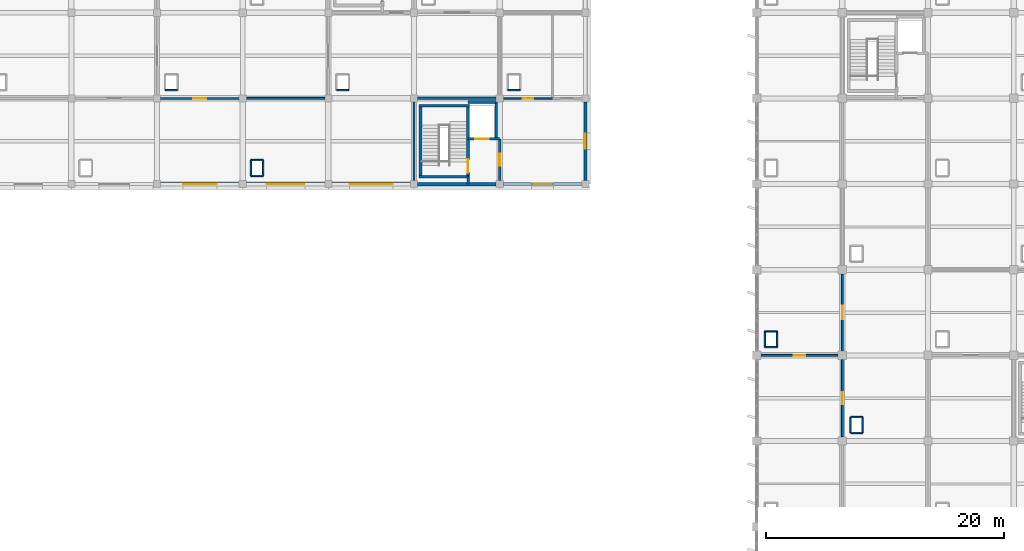
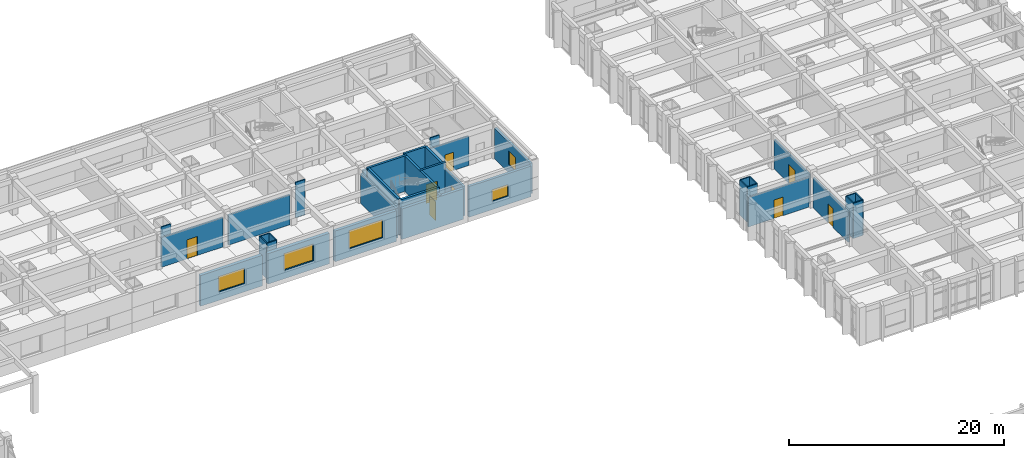
# One storey, part 57 of 70: 38 walls, 8 doors, 5 windows, 13 openings.
"""IFC4 building model written with IfcOpenShell, lengths in metres."""

from ifc_helpers import new_model, si_unit, direction, frame, frame_2d, origin, place, context, subcontext, project, spatial, rectangle, extrude, material, layer, layer_set, type_object, element, fill, save


model = new_model("IFC4")

# Units and contexts
model_context = context("Model", 3, precision=1e-05, world=origin(), true_north=direction((0.0, 1.0)))
body_context = subcontext(model_context, "Body", "Model", "MODEL_VIEW")
ifc_project = project(units=[si_unit("LENGTHUNIT", "METRE"), si_unit("AREAUNIT", "SQUARE_METRE"), si_unit("VOLUMEUNIT", "CUBIC_METRE"), si_unit("PLANEANGLEUNIT", "RADIAN"), si_unit("MASSUNIT", "GRAM", prefix="KILO")], contexts=[model_context])

# Site, building, storey
site_placement = place(None, origin())
site = spatial("IfcSite", under=ifc_project, at=site_placement, CompositionType="ELEMENT")
building_placement = place(site_placement, origin())
building = spatial("IfcBuilding", under=site, at=building_placement, Name="Kavelor Marine Aquarium", CompositionType="ELEMENT")
storey_placement = place(building_placement, frame((0.0, 0.0, 9.179931640625)))
storey = spatial("IfcBuildingStorey", under=building, at=storey_placement, Name="L02", CompositionType="ELEMENT", Elevation=9.179931640625)

# Wall, opening, window
ifc_material_1 = material(Name="Concrete C45/55", Category="concrete")
ifc_layer_1 = layer(ifc_material_1, 0.360107421875)
ifc_layer_set_1 = layer_set([ifc_layer_1], Name="WL-EX1")
wall_type_1 = type_object("IfcWallType", Name="WL-EX1", PredefinedType="STANDARD", material=ifc_layer_set_1)
wall_1_placement = place(storey_placement, frame((82.10498046875, 89.199951171875, 0.0), z_axis=(0.0, 0.0, 1.0), x_axis=(-1.0, 0.0, 0.0)))
wall_1 = element("IfcWall", 1, at=wall_1_placement, inside=storey, type_object=wall_type_1, Name="ew:x:L02:10_12", PredefinedType="STANDARD", context=body_context, shape_type="SweptSolid", body=[
    extrude(rectangle(XDim=6.60986328125, YDim=0.360107421875, at=frame_2d((3.304931640625, 0.0))), origin(), (0.0, 0.0, 1.0), 3.4599609375),
])
opening_1_placement = place(wall_1_placement, frame((1.72998046875, 0.0, 0.949951171875)))
opening_1 = element("IfcOpeningElement", 2, at=opening_1_placement, cuts=wall_1, Name="Opening W21", PredefinedType="OPENING", context=body_context, shape_type="SweptSolid", body=[
    extrude(rectangle(XDim=3.14990234375, YDim=1.89990234375, at=frame_2d((1.574951171875, 0.949951171875))), frame((0.0, 0.18994140625, 0.0), z_axis=(0.0, -1.0, 0.0), x_axis=(1.0, 0.0, 0.0)), (0.0, 0.0, 1.0), 0.380107),
])
ifc_material_2 = material(Name="Anodised Aluminium Frame with Low-E Double Glazing", Category="aluminium")
window_type_1 = type_object("IfcWindowType", Name="WIN-W21", PartitioningType="DOUBLE_PANEL_VERTICAL", PredefinedType="WINDOW", material=ifc_material_2)
window_1_placement = place(opening_1_placement, origin())
window_1 = element("IfcWindow", 3, at=window_1_placement, inside=storey, type_object=window_type_1, Name="win:x:L02:10_12", OverallHeight=1.89990234375, OverallWidth=3.14990234375, PartitioningType="SINGLE_PANEL", PredefinedType="WINDOW", context=body_context, shape_type="SweptSolid", body=[
    extrude(rectangle(XDim=3.14990234375, YDim=1.89990234375, at=frame_2d((1.574951171875, 0.949951171875))), frame((0.0, 0.030029296875, 0.0), z_axis=(0.0, -1.0, 0.0), x_axis=(1.0, 0.0, 0.0)), (0.0, 0.0, 1.0), 0.06005859375),
])
fill(opening_1, window_1)

ifc_material_3 = material(Name="Concrete C45/55", Category="concrete")
ifc_layer_2 = layer(ifc_material_3, 0.320068359375)
ifc_layer_set_2 = layer_set([ifc_layer_2], Name="WL-EX2")
wall_type_2 = type_object("IfcWallType", Name="WL-EX2", PredefinedType="STANDARD", material=ifc_layer_set_2)
wall_2_placement = place(storey_placement, frame((89.304931640625, 89.199951171875, 0.0), z_axis=(0.0, 0.0, 1.0), x_axis=(-1.0, 0.0, 0.0)))
wall_2 = element("IfcWall", 4, at=wall_2_placement, inside=storey, type_object=wall_type_2, Name="ew:x:L02:11_12", PredefinedType="STANDARD", context=body_context, shape_type="SweptSolid", body=[
    extrude(rectangle(XDim=6.60986328125, YDim=0.320068359375, at=frame_2d((3.304931640625, 0.0))), origin(), (0.0, 0.0, 1.0), 3.47998046875),
])
opening_2_placement = place(wall_2_placement, frame((1.5048828125, 0.0, 0.949951171875)))
opening_2 = element("IfcOpeningElement", 5, at=opening_2_placement, cuts=wall_2, Name="Opening W24", PredefinedType="OPENING", context=body_context, shape_type="SweptSolid", body=[
    extrude(rectangle(XDim=3.60009765625, YDim=2.050048828125, at=frame_2d((1.800048828125, 1.02490234375))), frame((0.0, 0.169921875, 0.0), z_axis=(0.0, -1.0, 0.0), x_axis=(1.0, 0.0, 0.0)), (0.0, 0.0, 1.0), 0.340068),
])
ifc_material_4 = material(Name="Anodised Aluminium Frame with Low-E Double Glazing", Category="aluminium")
window_type_2 = type_object("IfcWindowType", Name="WIN-W24", PartitioningType="DOUBLE_PANEL_VERTICAL", PredefinedType="WINDOW", material=ifc_material_4)
window_2_placement = place(opening_2_placement, origin())
window_2 = element("IfcWindow", 6, at=window_2_placement, inside=storey, type_object=window_type_2, Name="win:x:L02:11_12", OverallHeight=2.050048828125, OverallWidth=3.60009765625, PartitioningType="SINGLE_PANEL", PredefinedType="WINDOW", context=body_context, shape_type="SweptSolid", body=[
    extrude(rectangle(XDim=3.60009765625, YDim=2.050048828125, at=frame_2d((1.800048828125, 1.02490234375))), frame((0.0, 0.030029296875, 0.0), z_axis=(0.0, -1.0, 0.0), x_axis=(1.0, 0.0, 0.0)), (0.0, 0.0, 1.0), 0.06005859375),
])
fill(opening_2, window_2)

# Wall
ifc_material_5 = material(Name="Concrete C40/50", Category="concrete")
ifc_layer_3 = layer(ifc_material_5, 0.300048828125)
ifc_layer_set_3 = layer_set([ifc_layer_3], Name="WL-EX3")
wall_type_3 = type_object("IfcWallType", Name="WL-EX3", PredefinedType="STANDARD", material=ifc_layer_set_3)
wall_3_placement = place(storey_placement, frame((96.5048828125, 89.199951171875, 0.0), z_axis=(0.0, 0.0, 1.0), x_axis=(-1.0, 0.0, 0.0)))
element("IfcWall", 7, at=wall_3_placement, inside=storey, type_object=wall_type_3, Name="ew:x:L02:12_12", PredefinedType="STANDARD", context=body_context, shape_type="SweptSolid", body=[
    extrude(rectangle(XDim=6.60986328125, YDim=0.300048828125, at=frame_2d((3.304931640625, 0.0))), origin(), (0.0, 0.0, 1.0), 3.4599609375),
])

# Wall, opening, window
ifc_material_6 = material(Name="Concrete C40/50", Category="concrete")
ifc_layer_4 = layer(ifc_material_6, 0.280029296875)
ifc_layer_set_4 = layer_set([ifc_layer_4], Name="WL-EX4")
wall_type_4 = type_object("IfcWallType", Name="WL-EX4", PredefinedType="STANDARD", material=ifc_layer_set_4)
wall_4_placement = place(storey_placement, frame((103.705078125, 89.199951171875, 0.0), z_axis=(0.0, 0.0, 1.0), x_axis=(-1.0, 0.0, 0.0)))
wall_4 = element("IfcWall", 8, at=wall_4_placement, inside=storey, type_object=wall_type_4, Name="ew:x:L02:13_12", PredefinedType="STANDARD", context=body_context, shape_type="SweptSolid", body=[
    extrude(rectangle(XDim=6.610107421875, YDim=0.280029296875, at=frame_2d((3.30517578125, 0.0))), origin(), (0.0, 0.0, 1.0), 3.47998046875),
])
opening_3_placement = place(wall_4_placement, frame((2.429931640625, 0.0, 0.949951171875)))
opening_3 = element("IfcOpeningElement", 9, at=opening_3_placement, cuts=wall_4, Name="Opening W28", PredefinedType="OPENING", context=body_context, shape_type="SweptSolid", body=[
    extrude(rectangle(XDim=1.75, YDim=1.300048828125, at=frame_2d((0.875, 0.64990234375))), frame((0.0, 0.14990234375, 0.0), z_axis=(0.0, -1.0, 0.0), x_axis=(1.0, 0.0, 0.0)), (0.0, 0.0, 1.0), 0.300029),
])
ifc_material_7 = material(Name="Anodised Aluminium Frame with Low-E Double Glazing", Category="aluminium")
window_type_3 = type_object("IfcWindowType", Name="WIN-W28", PartitioningType="SINGLE_PANEL", PredefinedType="WINDOW", material=ifc_material_7)
window_3_placement = place(opening_3_placement, origin())
window_3 = element("IfcWindow", 10, at=window_3_placement, inside=storey, type_object=window_type_3, Name="win:x:L02:13_12", OverallHeight=1.300048828125, OverallWidth=1.75, PartitioningType="SINGLE_PANEL", PredefinedType="WINDOW", context=body_context, shape_type="SweptSolid", body=[
    extrude(rectangle(XDim=1.75, YDim=1.300048828125, at=frame_2d((0.875, 0.64990234375))), frame((0.0, 0.030029296875, 0.0), z_axis=(0.0, -1.0, 0.0), x_axis=(1.0, 0.0, 0.0)), (0.0, 0.0, 1.0), 0.06005859375),
])
fill(opening_3, window_3)

ifc_material_8 = material(Name="Concrete C40/50", Category="concrete")
ifc_layer_5 = layer(ifc_material_8, 0.260009765625)
ifc_layer_set_5 = layer_set([ifc_layer_5], Name="WL-EX5")
wall_type_5 = type_object("IfcWallType", Name="WL-EX5", PredefinedType="STANDARD", material=ifc_layer_set_5)
wall_5_placement = place(storey_placement, frame((104.0, 96.10498046875, 0.0), z_axis=(0.0, 0.0, 1.0), x_axis=(0.0, -1.0, 0.0)))
wall_5 = element("IfcWall", 11, at=wall_5_placement, inside=storey, type_object=wall_type_5, Name="ew:y:L02:14_12", PredefinedType="STANDARD", context=body_context, shape_type="SweptSolid", body=[
    extrude(rectangle(XDim=6.60986328125, YDim=0.260009765625, at=frame_2d((3.304931640625, 0.0))), origin(), (0.0, 0.0, 1.0), 3.47998046875),
])
opening_4_placement = place(wall_5_placement, frame((2.655029296875, 0.0, 0.949951171875)))
opening_4 = element("IfcOpeningElement", 12, at=opening_4_placement, cuts=wall_5, Name="Opening W03", PredefinedType="OPENING", context=body_context, shape_type="SweptSolid", body=[
    extrude(rectangle(XDim=1.300048828125, YDim=1.550048828125, at=frame_2d((0.64990234375, 0.77490234375))), frame((0.0, 0.139892578125, 0.0), z_axis=(0.0, -1.0, 0.0), x_axis=(1.0, 0.0, 0.0)), (0.0, 0.0, 1.0), 0.28001),
])
ifc_material_9 = material(Name="Anodised Aluminium Frame with Low-E Double Glazing", Category="aluminium")
window_type_4 = type_object("IfcWindowType", Name="WIN-W03", PartitioningType="SINGLE_PANEL", PredefinedType="WINDOW", material=ifc_material_9)
window_4_placement = place(opening_4_placement, origin())
window_4 = element("IfcWindow", 13, at=window_4_placement, inside=storey, type_object=window_type_4, Name="win:y:L02:14_12", OverallHeight=1.550048828125, OverallWidth=1.300048828125, PartitioningType="SINGLE_PANEL", PredefinedType="WINDOW", context=body_context, shape_type="SweptSolid", body=[
    extrude(rectangle(XDim=1.300048828125, YDim=1.550048828125, at=frame_2d((0.64990234375, 0.77490234375))), frame((0.0, 0.030029296875, 0.0), z_axis=(0.0, -1.0, 0.0), x_axis=(1.0, 0.0, 0.0)), (0.0, 0.0, 1.0), 0.06005859375),
])
fill(opening_4, window_4)

ifc_material_10 = material(Name="Concrete C45/55", Category="concrete")
ifc_layer_6 = layer(ifc_material_10, 0.340087890625)
ifc_layer_set_6 = layer_set([ifc_layer_6], Name="WL-EX6")
wall_type_6 = type_object("IfcWallType", Name="WL-EX6", PredefinedType="STANDARD", material=ifc_layer_set_6)
wall_6_placement = place(storey_placement, frame((74.905029296875, 89.199951171875, 0.0), z_axis=(0.0, 0.0, 1.0), x_axis=(-1.0, 0.0, 0.0)))
wall_6 = element("IfcWall", 14, at=wall_6_placement, inside=storey, type_object=wall_type_6, Name="ew:x:L02:09_12", PredefinedType="STANDARD", context=body_context, shape_type="SweptSolid", body=[
    extrude(rectangle(XDim=6.610107421875, YDim=0.340087890625, at=frame_2d((3.30517578125, 0.0))), origin(), (0.0, 0.0, 1.0), 3.47998046875),
])
opening_5_placement = place(wall_6_placement, frame((1.905029296875, 0.0, 0.949951171875)))
opening_5 = element("IfcOpeningElement", 15, at=opening_5_placement, cuts=wall_6, Name="Opening W18", PredefinedType="OPENING", context=body_context, shape_type="SweptSolid", body=[
    extrude(rectangle(XDim=2.800048828125, YDim=1.75, at=frame_2d((1.39990234375, 0.875))), frame((0.0, 0.179931640625, 0.0), z_axis=(0.0, -1.0, 0.0), x_axis=(1.0, 0.0, 0.0)), (0.0, 0.0, 1.0), 0.360088),
])
ifc_material_11 = material(Name="Anodised Aluminium Frame with Low-E Double Glazing", Category="aluminium")
window_type_5 = type_object("IfcWindowType", Name="WIN-W18", PartitioningType="DOUBLE_PANEL_VERTICAL", PredefinedType="WINDOW", material=ifc_material_11)
window_5_placement = place(opening_5_placement, origin())
window_5 = element("IfcWindow", 16, at=window_5_placement, inside=storey, type_object=window_type_5, Name="win:x:L02:09_12", OverallHeight=1.75, OverallWidth=2.800048828125, PartitioningType="SINGLE_PANEL", PredefinedType="WINDOW", context=body_context, shape_type="SweptSolid", body=[
    extrude(rectangle(XDim=2.800048828125, YDim=1.75, at=frame_2d((1.39990234375, 0.875))), frame((0.0, 0.030029296875, 0.0), z_axis=(0.0, -1.0, 0.0), x_axis=(1.0, 0.0, 0.0)), (0.0, 0.0, 1.0), 0.06005859375),
])
fill(opening_5, window_5)

# Walls
ifc_material_12 = material(Name="Concrete Blockwork Partition", Category="masonry")
ifc_layer_7 = layer(ifc_material_12, 0.199951171875)
ifc_layer_set_7 = layer_set([ifc_layer_7], Name="WL-PT1")
wall_type_7 = type_object("IfcWallType", Name="WL-PT1", PredefinedType="PARTITIONING", material=ifc_layer_set_7)
wall_7_placement = place(storey_placement, frame((94.139892578125, 89.199951171875, 0.0), z_axis=(0.0, 0.0, 1.0), x_axis=(0.0, 1.0, 0.0)))
element("IfcWall", 17, at=wall_7_placement, inside=storey, type_object=wall_type_7, Name="pt:st_close:s:C07:L02", PredefinedType="PARTITIONING", context=body_context, shape_type="SweptSolid", body=[
    extrude(rectangle(XDim=0.6201171875, YDim=0.199951171875, at=frame_2d((0.31005859375, 0.0))), origin(), (0.0, 0.0, 1.0), 3.4599609375),
])
wall_8_placement = place(storey_placement, frame((89.60009765625, 89.5, 0.0), z_axis=(0.0, 0.0, 1.0), x_axis=(0.0, 1.0, 0.0)))
element("IfcWall", 18, at=wall_8_placement, inside=storey, type_object=wall_type_7, Name="pt:lob:C07:L02:w", PredefinedType="PARTITIONING", context=body_context, shape_type="SweptSolid", body=[
    extrude(rectangle(XDim=6.60009765625, YDim=0.199951171875, at=frame_2d((3.300048828125, 0.0))), origin(), (0.0, 0.0, 1.0), 3.360107421875),
])

# Wall, opening, door
wall_9_placement = place(storey_placement, frame((96.800048828125, 89.5, 0.0), z_axis=(0.0, 0.0, 1.0), x_axis=(0.0, 1.0, 0.0)))
wall_9 = element("IfcWall", 19, at=wall_9_placement, inside=storey, type_object=wall_type_7, Name="pt:lob:C07:L02:e", PredefinedType="PARTITIONING", context=body_context, shape_type="SweptSolid", body=[
    extrude(rectangle(XDim=3.5, YDim=0.199951171875, at=frame_2d((1.75, 0.0))), origin(), (0.0, 0.0, 1.0), 3.360107421875),
])
opening_6_placement = place(wall_9_placement, frame((1.239990234375, 0.0, 0.0)))
opening_6 = element("IfcOpeningElement", 20, at=opening_6_placement, cuts=wall_9, Name="Opening SD1", PredefinedType="OPENING", context=body_context, shape_type="SweptSolid", body=[
    extrude(rectangle(XDim=1.02001953125, YDim=2.14990234375, at=frame_2d((0.510009765625, 1.074951171875))), frame((0.0, 0.10986328125, 0.0), z_axis=(0.0, -1.0, 0.0), x_axis=(1.0, 0.0, 0.0)), (0.0, 0.0, 1.0), 0.219951),
])
ifc_material_13 = material(Name="Fire-Rated Corridor Compartment Door")
door_type_1 = type_object("IfcDoorType", Name="DR-SD1", OperationType="NOTDEFINED", PredefinedType="DOOR", material=ifc_material_13)
door_1_placement = place(opening_6_placement, origin())
door_1 = element("IfcDoor", 21, at=door_1_placement, inside=storey, type_object=door_type_1, Name="Core Lobby Fire Door C07-L02", OperationType="SINGLE_SWING_RIGHT", OverallHeight=2.14990234375, OverallWidth=1.02001953125, PredefinedType="DOOR", context=body_context, shape_type="SweptSolid", body=[
    extrude(rectangle(XDim=1.02001953125, YDim=2.14990234375, at=frame_2d((0.510009765625, 1.074951171875))), frame((0.0, 0.02490234375, 0.0), z_axis=(0.0, -1.0, 0.0), x_axis=(1.0, 0.0, 0.0)), (0.0, 0.0, 1.0), 0.050048828125),
])
fill(opening_6, door_1)

# Wall
wall_10_placement = place(storey_placement, frame((89.89990234375, 96.39990234375, 0.0), z_axis=(0.0, 0.0, 1.0), x_axis=(1.0, 0.0, 0.0)))
element("IfcWall", 22, at=wall_10_placement, inside=storey, type_object=wall_type_7, Name="pt:lob:C07:L02:n_full", PredefinedType="PARTITIONING", context=body_context, shape_type="SweptSolid", body=[
    extrude(rectangle(XDim=6.60009765625, YDim=0.199951171875, at=frame_2d((3.300048828125, 0.0))), origin(), (0.0, 0.0, 1.0), 3.41015625),
])

# Wall, opening, door
ifc_material_14 = material(Name="Acoustic Gypsum Stud Partition")
ifc_layer_8 = layer(ifc_material_14, 0.159912109375)
ifc_layer_set_8 = layer_set([ifc_layer_8], Name="WL-PT2")
wall_type_8 = type_object("IfcWallType", Name="WL-PT2", PredefinedType="PARTITIONING", material=ifc_layer_set_8)
wall_11_placement = place(storey_placement, frame((68.300048828125, 96.39990234375, 0.0), z_axis=(0.0, 0.0, 1.0), x_axis=(1.0, 0.0, 0.0)))
wall_11 = element("IfcWall", 23, at=wall_11_placement, inside=storey, type_object=wall_type_8, Name="pt:x:L02:09_12", PredefinedType="PARTITIONING", context=body_context, shape_type="SweptSolid", body=[
    extrude(rectangle(XDim=6.599853515625, YDim=0.159912109375, at=frame_2d((3.2998046875, 0.0))), origin(), (0.0, 0.0, 1.0), 3.360107421875),
])
opening_7_placement = place(wall_11_placement, frame((2.760009765625, 0.0, 0.0)))
opening_7 = element("IfcOpeningElement", 24, at=opening_7_placement, cuts=wall_11, Name="Opening D08", PredefinedType="OPENING", context=body_context, shape_type="SweptSolid", body=[
    extrude(rectangle(XDim=1.080078125, YDim=2.159912109375, at=frame_2d((0.5400390625, 1.080078125))), frame((0.0, 0.08984375, 0.0), z_axis=(0.0, -1.0, 0.0), x_axis=(1.0, 0.0, 0.0)), (0.0, 0.0, 1.0), 0.179912),
])
ifc_material_15 = material(Name="Discovery Wet Lab Vision Door")
door_type_2 = type_object("IfcDoorType", Name="DR-D08", OperationType="NOTDEFINED", PredefinedType="DOOR", material=ifc_material_15)
door_2_placement = place(opening_7_placement, origin())
door_2 = element("IfcDoor", 25, at=door_2_placement, inside=storey, type_object=door_type_2, Name="dr:rm:pt:x:L02:09_12:0", OperationType="SINGLE_SWING_LEFT", OverallHeight=2.159912109375, OverallWidth=1.080078125, PredefinedType="DOOR", context=body_context, shape_type="SweptSolid", body=[
    extrude(rectangle(XDim=1.080078125, YDim=2.159912109375, at=frame_2d((0.5400390625, 1.080078125))), frame((0.0, 0.02490234375, 0.0), z_axis=(0.0, -1.0, 0.0), x_axis=(1.0, 0.0, 0.0)), (0.0, 0.0, 1.0), 0.050048828125),
])
fill(opening_7, door_2)

# Wall
wall_12_placement = place(storey_placement, frame((75.5, 96.39990234375, 0.0), z_axis=(0.0, 0.0, 1.0), x_axis=(1.0, 0.0, 0.0)))
element("IfcWall", 26, at=wall_12_placement, inside=storey, type_object=wall_type_8, Name="pt:x:L02:10_12", PredefinedType="PARTITIONING", context=body_context, shape_type="SweptSolid", body=[
    extrude(rectangle(XDim=6.60009765625, YDim=0.159912109375, at=frame_2d((3.300048828125, 0.0))), origin(), (0.0, 0.0, 1.0), 3.41015625),
])

# Wall, opening, door
wall_13_placement = place(storey_placement, frame((125.60009765625, 67.949951171875, 0.0), z_axis=(0.0, 0.0, 1.0), x_axis=(0.0, 1.0, 0.0)))
wall_13 = element("IfcWall", 27, at=wall_13_placement, inside=storey, type_object=wall_type_8, Name="pt:y:L02:16_09", PredefinedType="PARTITIONING", context=body_context, shape_type="SweptSolid", body=[
    extrude(rectangle(XDim=6.5, YDim=0.159912109375, at=frame_2d((3.25, 0.0))), origin(), (0.0, 0.0, 1.0), 3.41015625),
])
opening_8_placement = place(wall_13_placement, frame((2.760009765625, 0.0, 0.0)))
opening_8 = element("IfcOpeningElement", 28, at=opening_8_placement, cuts=wall_13, Name="Opening D07", PredefinedType="OPENING", context=body_context, shape_type="SweptSolid", body=[
    extrude(rectangle(XDim=0.97998046875, YDim=2.1201171875, at=frame_2d((0.489990234375, 1.06005859375))), frame((0.0, 0.08984375, 0.0), z_axis=(0.0, -1.0, 0.0), x_axis=(1.0, 0.0, 0.0)), (0.0, 0.0, 1.0), 0.179912),
])
ifc_material_16 = material(Name="Research Write-Up Timber Door", Category="wood")
door_type_3 = type_object("IfcDoorType", Name="DR-D07", OperationType="NOTDEFINED", PredefinedType="DOOR", material=ifc_material_16)
door_3_placement = place(opening_8_placement, origin())
door_3 = element("IfcDoor", 29, at=door_3_placement, inside=storey, type_object=door_type_3, Name="dr:rm:pt:y:L02:16_09:1", OperationType="SINGLE_SWING_RIGHT", OverallHeight=2.1201171875, OverallWidth=0.97998046875, PredefinedType="DOOR", context=body_context, shape_type="SweptSolid", body=[
    extrude(rectangle(XDim=0.97998046875, YDim=2.1201171875, at=frame_2d((0.489990234375, 1.06005859375))), frame((0.0, 0.02490234375, 0.0), z_axis=(0.0, -1.0, 0.0), x_axis=(1.0, 0.0, 0.0)), (0.0, 0.0, 1.0), 0.050048828125),
])
fill(opening_8, door_3)

wall_14_placement = place(storey_placement, frame((118.75, 74.800048828125, 0.0), z_axis=(0.0, 0.0, 1.0), x_axis=(1.0, 0.0, 0.0)))
wall_14 = element("IfcWall", 30, at=wall_14_placement, inside=storey, type_object=wall_type_8, Name="pt:x:L02:16_09", PredefinedType="PARTITIONING", context=body_context, shape_type="SweptSolid", body=[
    extrude(rectangle(XDim=6.5, YDim=0.159912109375, at=frame_2d((3.25, 0.0))), origin(), (0.0, 0.0, 1.0), 3.360107421875),
])
opening_9_placement = place(wall_14_placement, frame((2.77001953125, 0.0, 0.0)))
opening_9 = element("IfcOpeningElement", 31, at=opening_9_placement, cuts=wall_14, Name="Opening D01", PredefinedType="OPENING", context=body_context, shape_type="SweptSolid", body=[
    extrude(rectangle(XDim=0.9599609375, YDim=2.10009765625, at=frame_2d((0.47998046875, 1.050048828125))), frame((0.0, 0.08984375, 0.0), z_axis=(0.0, -1.0, 0.0), x_axis=(1.0, 0.0, 0.0)), (0.0, 0.0, 1.0), 0.179912),
])
ifc_material_17 = material(Name="Solid-Core Acoustic Timber Laboratory Door", Category="wood")
door_type_4 = type_object("IfcDoorType", Name="DR-D01", OperationType="NOTDEFINED", PredefinedType="DOOR", material=ifc_material_17)
door_4_placement = place(opening_9_placement, origin())
door_4 = element("IfcDoor", 32, at=door_4_placement, inside=storey, type_object=door_type_4, Name="dr:rm:pt:x:L02:16_09:0", OperationType="SINGLE_SWING_RIGHT", OverallHeight=2.10009765625, OverallWidth=0.9599609375, PredefinedType="DOOR", context=body_context, shape_type="SweptSolid", body=[
    extrude(rectangle(XDim=0.9599609375, YDim=2.10009765625, at=frame_2d((0.47998046875, 1.050048828125))), frame((0.0, 0.02490234375, 0.0), z_axis=(0.0, -1.0, 0.0), x_axis=(1.0, 0.0, 0.0)), (0.0, 0.0, 1.0), 0.050048828125),
])
fill(opening_9, door_4)

wall_15_placement = place(storey_placement, frame((125.60009765625, 75.14990234375, 0.0), z_axis=(0.0, 0.0, 1.0), x_axis=(0.0, 1.0, 0.0)))
wall_15 = element("IfcWall", 33, at=wall_15_placement, inside=storey, type_object=wall_type_8, Name="pt:y:L02:16_10", PredefinedType="PARTITIONING", context=body_context, shape_type="SweptSolid", body=[
    extrude(rectangle(XDim=6.5, YDim=0.159912109375, at=frame_2d((3.25, 0.0))), origin(), (0.0, 0.0, 1.0), 3.360107421875),
])
opening_10_placement = place(wall_15_placement, frame((2.669921875, 0.0, 0.0)))
opening_10 = element("IfcOpeningElement", 34, at=opening_10_placement, cuts=wall_15, Name="Opening D09", PredefinedType="OPENING", context=body_context, shape_type="SweptSolid", body=[
    extrude(rectangle(XDim=1.159912109375, YDim=2.179931640625, at=frame_2d((0.580078125, 1.08984375))), frame((0.0, 0.08984375, 0.0), z_axis=(0.0, -1.0, 0.0), x_axis=(1.0, 0.0, 0.0)), (0.0, 0.0, 1.0), 0.179912),
])
ifc_material_18 = material(Name="Husbandry Prep Marine Door")
door_type_5 = type_object("IfcDoorType", Name="DR-D09", OperationType="NOTDEFINED", PredefinedType="DOOR", material=ifc_material_18)
door_5_placement = place(opening_10_placement, origin())
door_5 = element("IfcDoor", 35, at=door_5_placement, inside=storey, type_object=door_type_5, Name="dr:rm:pt:y:L02:16_10:0", OperationType="SINGLE_SWING_LEFT", OverallHeight=2.179931640625, OverallWidth=1.159912109375, PredefinedType="DOOR", context=body_context, shape_type="SweptSolid", body=[
    extrude(rectangle(XDim=1.159912109375, YDim=2.179931640625, at=frame_2d((0.580078125, 1.08984375))), frame((0.0, 0.02490234375, 0.0), z_axis=(0.0, -1.0, 0.0), x_axis=(1.0, 0.0, 0.0)), (0.0, 0.0, 1.0), 0.050048828125),
])
fill(opening_10, door_5)

ifc_material_19 = material(Name="Moisture-Resistant Marine Partition")
ifc_layer_9 = layer(ifc_material_19, 0.139892578125)
ifc_layer_set_9 = layer_set([ifc_layer_9], Name="WL-PT3")
wall_type_9 = type_object("IfcWallType", Name="WL-PT3", PredefinedType="PARTITIONING", material=ifc_layer_set_9)
wall_16_placement = place(storey_placement, frame((97.10009765625, 96.39990234375, 0.0), z_axis=(0.0, 0.0, 1.0), x_axis=(1.0, 0.0, 0.0)))
wall_16 = element("IfcWall", 36, at=wall_16_placement, inside=storey, type_object=wall_type_9, Name="pt:san:f1:L02:13_13", PredefinedType="PARTITIONING", context=body_context, shape_type="SweptSolid", body=[
    extrude(rectangle(XDim=4.14990234375, YDim=0.139892578125, at=frame_2d((2.074951171875, 0.0))), origin(), (0.0, 0.0, 1.0), 3.360107421875),
])
opening_11_placement = place(wall_16_placement, frame((1.614990234375, 0.0, 0.0)))
opening_11 = element("IfcOpeningElement", 37, at=opening_11_placement, cuts=wall_16, Name="Opening D02", PredefinedType="OPENING", context=body_context, shape_type="SweptSolid", body=[
    extrude(rectangle(XDim=0.919921875, YDim=2.080078125, at=frame_2d((0.4599609375, 1.0400390625))), frame((0.0, 0.079833984375, 0.0), z_axis=(0.0, -1.0, 0.0), x_axis=(1.0, 0.0, 0.0)), (0.0, 0.0, 1.0), 0.159893),
])
ifc_material_20 = material(Name="Moisture-Resistant Laminate Sanitary Door")
door_type_6 = type_object("IfcDoorType", Name="DR-D02", OperationType="NOTDEFINED", PredefinedType="DOOR", material=ifc_material_20)
door_6_placement = place(opening_11_placement, origin())
door_6 = element("IfcDoor", 38, at=door_6_placement, inside=storey, type_object=door_type_6, Name="dr:wc:L02:13_13", OperationType="SINGLE_SWING_LEFT", OverallHeight=2.080078125, OverallWidth=0.919921875, PredefinedType="DOOR", context=body_context, shape_type="SweptSolid", body=[
    extrude(rectangle(XDim=0.919921875, YDim=2.080078125, at=frame_2d((0.4599609375, 1.0400390625))), frame((0.0, 0.02490234375, 0.0), z_axis=(0.0, -1.0, 0.0), x_axis=(1.0, 0.0, 0.0)), (0.0, 0.0, 1.0), 0.050048828125),
])
fill(opening_11, door_6)

# Walls
ifc_material_21 = material(Name="Lightweight Drywall Partition")
ifc_layer_10 = layer(ifc_material_21, 0.1201171875)
ifc_layer_set_10 = layer_set([ifc_layer_10], Name="WL-PT4")
wall_type_10 = type_object("IfcWallType", Name="WL-PT4", PredefinedType="PARTITIONING", material=ifc_layer_set_10)
for number, where, z_axis, x_axis, name in (
    (39, (68.68994140625, 97.090087890625, 0.0), (0.0, 0.0, 1.0), (1.0, 0.0, 0.0), "riser:s:L02:09_13"),
    (40, (75.889892578125, 89.889892578125, 0.0), (0.0, 0.0, 1.0), (1.0, 0.0, 0.0), "riser:s:L02:10_12"),
    (41, (75.889892578125, 91.2099609375, 0.0), (0.0, 0.0, 1.0), (1.0, 0.0, 0.0), "riser:n:L02:10_12"),
):
    element("IfcWall", number, at=place(storey_placement, frame(where, z_axis=z_axis, x_axis=x_axis)), inside=storey, type_object=wall_type_10, Name=name, PredefinedType="PARTITIONING", context=body_context, shape_type="SweptSolid", body=[
        extrude(rectangle(XDim=1.02001953125, YDim=0.1201171875, at=frame_2d((0.510009765625, 0.0))), origin(), (0.0, 0.0, 1.0), 4.0),
    ])
for number, where, z_axis, x_axis, name in (
    (42, (75.889892578125, 89.889892578125, 0.0), (0.0, 0.0, 1.0), (0.0, 1.0, 0.0), "riser:w:L02:10_12"),
    (43, (76.909912109375, 89.889892578125, 0.0), (0.0, 0.0, 1.0), (0.0, 1.0, 0.0), "riser:e:L02:10_12"),
):
    element("IfcWall", number, at=place(storey_placement, frame(where, z_axis=z_axis, x_axis=x_axis)), inside=storey, type_object=wall_type_10, Name=name, PredefinedType="PARTITIONING", context=body_context, shape_type="SweptSolid", body=[
        extrude(rectangle(XDim=1.320068359375, YDim=0.1201171875, at=frame_2d((0.66015625, 0.0))), origin(), (0.0, 0.0, 1.0), 4.0),
    ])
for number, where, z_axis, x_axis, name in (
    (44, (83.090087890625, 97.090087890625, 0.0), (0.0, 0.0, 1.0), (1.0, 0.0, 0.0), "riser:s:L02:11_13"),
    (45, (97.489990234375, 97.090087890625, 0.0), (0.0, 0.0, 1.0), (1.0, 0.0, 0.0), "riser:s:L02:13_13"),
    (46, (119.090087890625, 75.489990234375, 0.0), (0.0, 0.0, 1.0), (1.0, 0.0, 0.0), "riser:s:L02:16_10"),
    (47, (119.090087890625, 76.81005859375, 0.0), (0.0, 0.0, 1.0), (1.0, 0.0, 0.0), "riser:n:L02:16_10"),
):
    element("IfcWall", number, at=place(storey_placement, frame(where, z_axis=z_axis, x_axis=x_axis)), inside=storey, type_object=wall_type_10, Name=name, PredefinedType="PARTITIONING", context=body_context, shape_type="SweptSolid", body=[
        extrude(rectangle(XDim=1.02001953125, YDim=0.1201171875, at=frame_2d((0.510009765625, 0.0))), origin(), (0.0, 0.0, 1.0), 4.0),
    ])
for number, where, z_axis, x_axis, name in (
    (48, (119.090087890625, 75.489990234375, 0.0), (0.0, 0.0, 1.0), (0.0, 1.0, 0.0), "riser:w:L02:16_10"),
    (49, (120.110107421875, 75.489990234375, 0.0), (0.0, 0.0, 1.0), (0.0, 1.0, 0.0), "riser:e:L02:16_10"),
):
    element("IfcWall", number, at=place(storey_placement, frame(where, z_axis=z_axis, x_axis=x_axis)), inside=storey, type_object=wall_type_10, Name=name, PredefinedType="PARTITIONING", context=body_context, shape_type="SweptSolid", body=[
        extrude(rectangle(XDim=1.320068359375, YDim=0.1201171875, at=frame_2d((0.66015625, 0.0))), origin(), (0.0, 0.0, 1.0), 4.0),
    ])
for number, where, z_axis, x_axis, name in (
    (50, (126.2900390625, 68.2900390625, 0.0), (0.0, 0.0, 1.0), (1.0, 0.0, 0.0), "riser:s:L02:17_09"),
    (51, (126.2900390625, 69.610107421875, 0.0), (0.0, 0.0, 1.0), (1.0, 0.0, 0.0), "riser:n:L02:17_09"),
):
    element("IfcWall", number, at=place(storey_placement, frame(where, z_axis=z_axis, x_axis=x_axis)), inside=storey, type_object=wall_type_10, Name=name, PredefinedType="PARTITIONING", context=body_context, shape_type="SweptSolid", body=[
        extrude(rectangle(XDim=1.02001953125, YDim=0.1201171875, at=frame_2d((0.510009765625, 0.0))), origin(), (0.0, 0.0, 1.0), 4.0),
    ])
for number, where, z_axis, x_axis, name in (
    (52, (126.2900390625, 68.2900390625, 0.0), (0.0, 0.0, 1.0), (0.0, 1.0, 0.0), "riser:w:L02:17_09"),
    (53, (127.31005859375, 68.2900390625, 0.0), (0.0, 0.0, 1.0), (0.0, 1.0, 0.0), "riser:e:L02:17_09"),
):
    element("IfcWall", number, at=place(storey_placement, frame(where, z_axis=z_axis, x_axis=x_axis)), inside=storey, type_object=wall_type_10, Name=name, PredefinedType="PARTITIONING", context=body_context, shape_type="SweptSolid", body=[
        extrude(rectangle(XDim=1.320068359375, YDim=0.1201171875, at=frame_2d((0.66015625, 0.0))), origin(), (0.0, 0.0, 1.0), 4.0),
    ])
ifc_material_22 = material(Name="Concrete C40/50", Category="concrete")
ifc_layer_11 = layer(ifc_material_22, 0.35009765625)
ifc_layer_set_11 = layer_set([ifc_layer_11], Name="WL-SW2")
wall_type_11 = type_object("IfcWallType", Name="WL-SW2", PredefinedType="SHEAR", material=ifc_layer_set_11)
for number, where, z_axis, x_axis, name in (
    (54, (90.02001953125, 89.820068359375, 0.0), (0.0, 0.0, 1.0), (1.0, 0.0, 0.0), "cw_st:s:C07:L02"),
    (55, (90.02001953125, 95.780029296875, 0.0), (0.0, 0.0, 1.0), (1.0, 0.0, 0.0), "cw_st:n:C07:L02"),
):
    element("IfcWall", number, at=place(storey_placement, frame(where, z_axis=z_axis, x_axis=x_axis)), inside=storey, type_object=wall_type_11, Name=name, PredefinedType="SHEAR", context=body_context, shape_type="SweptSolid", body=[
        extrude(rectangle(XDim=4.239990234375, YDim=0.239990234375, at=frame_2d((2.1201171875, 0.0))), origin(), (0.0, 0.0, 1.0), 4.02001953125),
    ])
wall_17_placement = place(storey_placement, frame((90.139892578125, 89.93994140625, 0.0), z_axis=(0.0, 0.0, 1.0), x_axis=(0.0, 1.0, 0.0)))
element("IfcWall", 56, at=wall_17_placement, inside=storey, type_object=wall_type_11, Name="cw_st:w:C07:L02", PredefinedType="SHEAR", context=body_context, shape_type="SweptSolid", body=[
    extrude(rectangle(XDim=5.719970703125, YDim=0.239990234375, at=frame_2d((2.85986328125, 0.0))), origin(), (0.0, 0.0, 1.0), 4.02001953125),
])

# Wall, opening, door
wall_18_placement = place(storey_placement, frame((94.139892578125, 89.93994140625, 0.0), z_axis=(0.0, 0.0, 1.0), x_axis=(0.0, 1.0, 0.0)))
wall_18 = element("IfcWall", 57, at=wall_18_placement, inside=storey, type_object=wall_type_11, Name="cw_st:e:C07:L02", PredefinedType="SHEAR", context=body_context, shape_type="SweptSolid", body=[
    extrude(rectangle(XDim=5.719970703125, YDim=0.239990234375, at=frame_2d((2.85986328125, 0.0))), origin(), (0.0, 0.0, 1.0), 4.02001953125),
])
opening_12_placement = place(wall_18_placement, frame((0.219970703125, 0.0, 0.0)))
opening_12 = element("IfcOpeningElement", 58, at=opening_12_placement, cuts=wall_18, Name="Opening FD1", PredefinedType="OPENING", context=body_context, shape_type="SweptSolid", body=[
    extrude(rectangle(XDim=1.1201171875, YDim=2.14990234375, at=frame_2d((0.56005859375, 1.074951171875))), frame((0.0, 0.1298828125, 0.0), z_axis=(0.0, -1.0, 0.0), x_axis=(1.0, 0.0, 0.0)), (0.0, 0.0, 1.0), 0.25999),
])
ifc_material_23 = material(Name="Fire-Rated Steel Stair and Core Door", Category="steel")
door_type_7 = type_object("IfcDoorType", Name="DR-FD1", OperationType="NOTDEFINED", PredefinedType="DOOR", material=ifc_material_23)
door_7_placement = place(opening_12_placement, origin())
door_7 = element("IfcDoor", 59, at=door_7_placement, inside=storey, type_object=door_type_7, Name="Stair Fire Door ST07-L02", OperationType="SINGLE_SWING_LEFT", OverallHeight=2.14990234375, OverallWidth=1.1201171875, PredefinedType="DOOR", context=body_context, shape_type="SweptSolid", body=[
    extrude(rectangle(XDim=1.1201171875, YDim=2.14990234375, at=frame_2d((0.56005859375, 1.074951171875))), frame((0.0, 0.02490234375, 0.0), z_axis=(0.0, -1.0, 0.0), x_axis=(1.0, 0.0, 0.0)), (0.0, 0.0, 1.0), 0.050048828125),
])
fill(opening_12, door_7)

wall_19_placement = place(storey_placement, frame((94.139892578125, 93.0, 0.0), z_axis=(0.0, 0.0, 1.0), x_axis=(1.0, 0.0, 0.0)))
wall_19 = element("IfcWall", 60, at=wall_19_placement, inside=storey, type_object=wall_type_11, Name="cw_lf:s:C07:L02", PredefinedType="SHEAR", context=body_context, shape_type="SweptSolid", body=[
    extrude(rectangle(XDim=2.66015625, YDim=0.219970703125, at=frame_2d((1.330078125, 0.0))), origin(), (0.0, 0.0, 1.0), 4.02001953125),
])
opening_13_placement = place(wall_19_placement, frame((0.610107421875, 0.0, 0.0)))
opening_13 = element("IfcOpeningElement", 61, at=opening_13_placement, cuts=wall_19, Name="Opening LD1", PredefinedType="OPENING", context=body_context, shape_type="SweptSolid", body=[
    extrude(rectangle(XDim=1.139892578125, YDim=2.14990234375, at=frame_2d((0.56982421875, 1.074951171875))), frame((0.0, 0.119873046875, 0.0), z_axis=(0.0, -1.0, 0.0), x_axis=(1.0, 0.0, 0.0)), (0.0, 0.0, 1.0), 0.239971),
])
ifc_material_24 = material(Name="Stainless Steel Lift Landing Sliding Door", Category="steel")
door_type_8 = type_object("IfcDoorType", Name="DR-LD1", OperationType="NOTDEFINED", PredefinedType="DOOR", material=ifc_material_24)
door_8_placement = place(opening_13_placement, origin())
door_8 = element("IfcDoor", 62, at=door_8_placement, inside=storey, type_object=door_type_8, Name="Lift Landing Sliding Door EL2-L02", OperationType="SLIDING_TO_LEFT", OverallHeight=2.14990234375, OverallWidth=1.139892578125, PredefinedType="DOOR", context=body_context, shape_type="SweptSolid", body=[
    extrude(rectangle(XDim=1.139892578125, YDim=2.14990234375, at=frame_2d((0.56982421875, 1.074951171875))), frame((0.0, 0.02490234375, 0.0), z_axis=(0.0, -1.0, 0.0), x_axis=(1.0, 0.0, 0.0)), (0.0, 0.0, 1.0), 0.050048828125),
])
fill(opening_13, door_8)

# Walls
wall_20_placement = place(storey_placement, frame((94.139892578125, 96.10009765625, 0.0), z_axis=(0.0, 0.0, 1.0), x_axis=(1.0, 0.0, 0.0)))
element("IfcWall", 63, at=wall_20_placement, inside=storey, type_object=wall_type_11, Name="cw_lf:n:C07:L02", PredefinedType="SHEAR", context=body_context, shape_type="SweptSolid", body=[
    extrude(rectangle(XDim=2.360107421875, YDim=0.219970703125, at=frame_2d((1.18017578125, 0.0))), origin(), (0.0, 0.0, 1.0), 4.02001953125),
])
wall_21_placement = place(storey_placement, frame((96.5, 93.0, 0.0), z_axis=(0.0, 0.0, 1.0), x_axis=(0.0, 1.0, 0.0)))
element("IfcWall", 64, at=wall_21_placement, inside=storey, type_object=wall_type_11, Name="cw_lf:e:C07:L02", PredefinedType="SHEAR", context=body_context, shape_type="SweptSolid", body=[
    extrude(rectangle(XDim=3.10009765625, YDim=0.219970703125, at=frame_2d((1.550048828125, 0.0))), origin(), (0.0, 0.0, 1.0), 4.02001953125),
])

save(model, "model.ifc")
